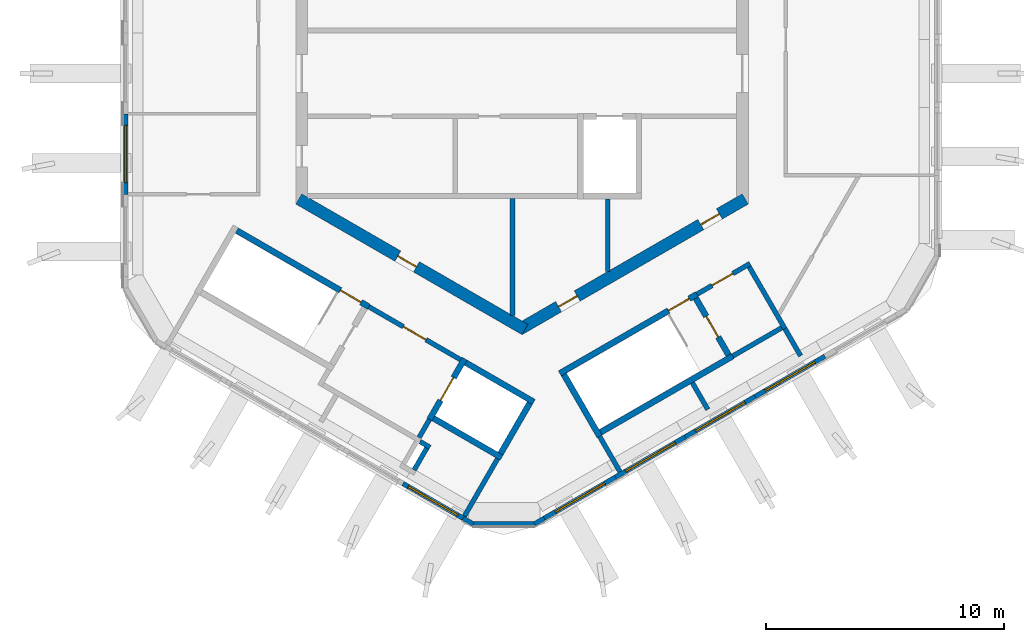
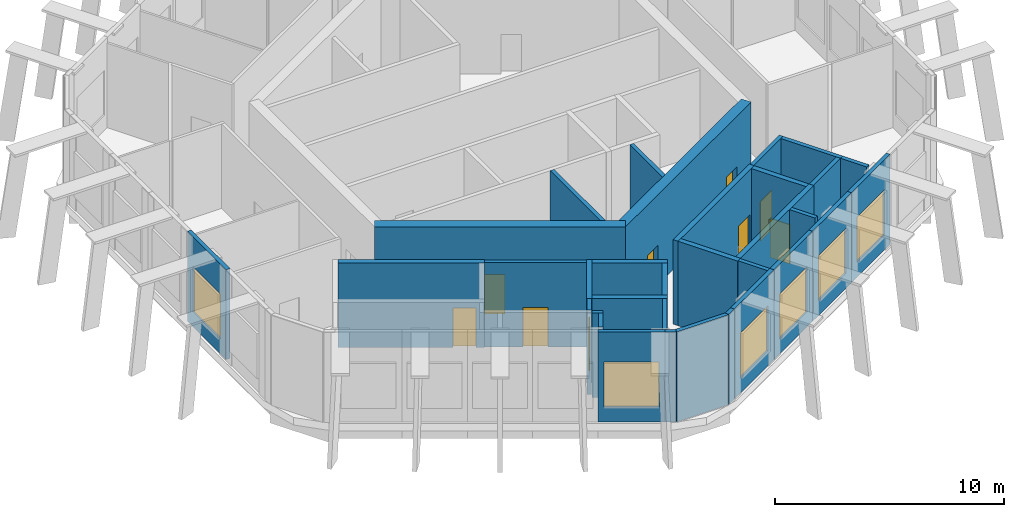
# One storey, part 2 of 8: 33 walls, 9 doors, 6 windows, 15 openings.
"""IFC4 building model written with IfcOpenShell, lengths in metres."""

import ifcopenshell
import ifcopenshell.guid

model = None  # the IFC model being written
_history = None  # IfcOwnerHistory: only IFC2X3 demands one
_inside = {}  # id of a spatial element -> (the spatial element, [elements in it])
_under = {}  # id of a project, library or spatial element -> (it, [spatial elements below it])
_declared = {}  # id of a project -> (the project, [libraries it declares])
_typed = {}  # id of a type object -> (the type object, [elements of that type])
_made_of = {}  # id of a material, layer set ... -> (it, [elements and type objects made of it])


def new_model(schema):
    """Start an empty IFC model of exactly this schema.

    Asked for "IFC4X3", IfcOpenShell would pick the latest addendum, in which some entities
    have other attributes; the version numbers below select the first issue.
    IFC2X3 requires an IfcOwnerHistory on every rooted entity: one is made here for all.
    """
    global model, _history
    if schema == "IFC4X3":
        model = ifcopenshell.file(schema_version=(4, 3, 0, 0))
    else:
        model = ifcopenshell.file(schema=schema)
    _inside.clear()
    _under.clear()
    _declared.clear()
    _typed.clear()
    _made_of.clear()
    _history = None
    if model.schema == "IFC2X3":
        org = make("IfcOrganization", Name="unknown")
        user = make(
            "IfcPersonAndOrganization",
            ThePerson=make("IfcPerson", FamilyName="unknown"),
            TheOrganization=org,
        )
        app = make(
            "IfcApplication",
            ApplicationDeveloper=org,
            Version="unknown",
            ApplicationFullName="unknown",
            ApplicationIdentifier="unknown",
        )
        _history = make(
            "IfcOwnerHistory",
            OwningUser=user,
            OwningApplication=app,
            ChangeAction="ADDED",
            CreationDate=0,
        )
    return model


def make(cls, **values):
    """One entity of the class cls with the attributes given. An attribute that is None is left unset."""
    return model.create_entity(
        cls, **{name: value for name, value in values.items() if value is not None}
    )


def rooted(cls, **values):
    """An entity with a GlobalId (a new one), such as an element, a storey or a relation."""
    return make(cls, GlobalId=ifcopenshell.guid.new(), OwnerHistory=_history, **values)


def si_unit(unit_type, name, prefix=None):
    """IfcSIUnit, for example si_unit("LENGTHUNIT", "METRE", prefix="MILLI")."""
    return make("IfcSIUnit", UnitType=unit_type, Prefix=prefix, Name=name)


def assignment(units):
    """IfcUnitAssignment: the units of a project."""
    return None if units is None else make("IfcUnitAssignment", Units=units)


def point(xyz):
    """IfcCartesianPoint."""
    return None if xyz is None else make("IfcCartesianPoint", Coordinates=xyz)


def direction(xyz):
    """IfcDirection."""
    return None if xyz is None else make("IfcDirection", DirectionRatios=xyz)


def frame(location, z_axis=None, x_axis=None):
    """IfcAxis2Placement3D, a coordinate frame: its origin and axes. An axis left out is left unset."""
    return make(
        "IfcAxis2Placement3D",
        Location=point(location),
        Axis=direction(z_axis),
        RefDirection=direction(x_axis),
    )


def frame_2d(location, x_axis=None):
    """IfcAxis2Placement2D, a coordinate frame in the plane: its origin and x axis."""
    return make(
        "IfcAxis2Placement2D", Location=point(location), RefDirection=direction(x_axis)
    )


def origin():
    """The frame at (0, 0, 0) with its axes left unset."""
    return frame((0.0, 0.0, 0.0))


def place(relative_to, where):
    """IfcLocalPlacement: puts the frame where relative to a parent placement (None: the world)."""
    return make(
        "IfcLocalPlacement", PlacementRelTo=relative_to, RelativePlacement=where
    )


def context(
    kind, dimensions, precision=None, world=None, true_north=None, identifier=None
):
    """IfcGeometricRepresentationContext, for example the 3D "Model" context."""
    return make(
        "IfcGeometricRepresentationContext",
        ContextIdentifier=identifier,
        ContextType=kind,
        CoordinateSpaceDimension=dimensions,
        Precision=precision,
        WorldCoordinateSystem=world,
        TrueNorth=true_north,
    )


def subcontext(parent, identifier, kind, view, scale=None):
    """IfcGeometricRepresentationSubContext, for example "Body" below "Model"."""
    return make(
        "IfcGeometricRepresentationSubContext",
        ContextIdentifier=identifier,
        ContextType=kind,
        ParentContext=parent,
        TargetScale=scale,
        TargetView=view,
    )


def project(units=None, contexts=None):
    """IfcProject with its units and contexts."""
    return rooted(
        "IfcProject",
        Name="project",
        RepresentationContexts=contexts,
        UnitsInContext=assignment(units),
    )


def spatial(cls, under=None, at=None, **own):
    """A site, building, storey or space (cls), placed at a placement, below another one or the project."""
    s = rooted(cls, ObjectPlacement=at, **own)
    if under is not None:
        _under.setdefault(under.id(), (under, []))[1].append(s)
    return s


def profile(cls, at=None, kind="AREA", **sizes):
    """A parametric profile (cls). Its sizes go by their IFC names, for example OverallWidth=200.0."""
    return make(cls, ProfileType=kind, Position=at, **sizes)


def rectangle(**sizes):
    """IfcRectangleProfileDef."""
    return profile("IfcRectangleProfileDef", **sizes)


def extrude(swept, where, along, depth):
    """IfcExtrudedAreaSolid: the profile swept, set in the frame where, extruded along a direction by depth."""
    return make(
        "IfcExtrudedAreaSolid",
        SweptArea=swept,
        Position=where,
        ExtrudedDirection=direction(along),
        Depth=depth,
    )


def shape(context_of_items, identifier, shape_type, items):
    """IfcShapeRepresentation: the items that make up one representation, for example the "Body"."""
    return make(
        "IfcShapeRepresentation",
        ContextOfItems=context_of_items,
        RepresentationIdentifier=identifier,
        RepresentationType=shape_type,
        Items=items,
    )


def material(Name=None, Category=None):
    """IfcMaterial."""
    return make("IfcMaterial", Name=Name, Category=Category)


def layer(
    of_material, thickness, ventilated=None, Name=None, Category=None, Priority=None
):
    """IfcMaterialLayer: one layer of a wall or slab, of a material (None: an air gap)."""
    return make(
        "IfcMaterialLayer",
        Material=of_material,
        LayerThickness=thickness,
        IsVentilated=ventilated,
        Name=Name,
        Category=Category,
        Priority=Priority,
    )


def layer_set(layers, Name=None):
    """IfcMaterialLayerSet."""
    return make("IfcMaterialLayerSet", MaterialLayers=layers, LayerSetName=Name)


def made_of(thing, what):
    """Note that an element or type object is made of a material, layer set ...; save() writes the relation."""
    if what is not None:
        _made_of.setdefault(what.id(), (what, []))[1].append(thing)
    return thing


def type_object(cls, material=None, **own):
    """A type object (cls), such as IfcWallType, which elements share."""
    return made_of(rooted(cls, **own), material)


def element(
    cls,
    number,
    at=None,
    inside=None,
    cuts=None,
    type_object=None,
    material=None,
    context=None,
    identifier="Body",
    shape_type=None,
    held_by="IfcProductDefinitionShape",
    body=None,
    shapes=None,
    **own,
):
    """One element of the class cls, such as IfcWall. Its Tag is "e" and its number.

    at: its placement. inside: the storey or other place that contains it. cuts: it is an
    opening in that element (IfcRelVoidsElement). A single representation is given by context,
    identifier, shape_type and body (its items); several are given by shapes. held_by: the class
    of the entity that holds the representations. save() writes the other relations.
    """
    e = rooted(cls, Tag="e%d" % number, ObjectPlacement=at, **own)
    if body is not None:
        shapes = [shape(context, identifier, shape_type, body)]
    if shapes is not None:
        e.Representation = make(held_by, Representations=shapes)
    if inside is not None:
        _inside.setdefault(inside.id(), (inside, []))[1].append(e)
    if cuts is not None:
        rooted(
            "IfcRelVoidsElement", RelatingBuildingElement=cuts, RelatedOpeningElement=e
        )
    if type_object is not None:
        _typed.setdefault(type_object.id(), (type_object, []))[1].append(e)
    return made_of(e, material)


def fill(opening, filler):
    """IfcRelFillsElement: the door or window that sits in an opening."""
    return rooted(
        "IfcRelFillsElement",
        RelatingOpeningElement=opening,
        RelatedBuildingElement=filler,
    )


def aggregate(whole, parts):
    """IfcRelAggregates: a whole, such as a stair, and the parts it consists of."""
    return rooted("IfcRelAggregates", RelatingObject=whole, RelatedObjects=parts)


def save(model, path):
    """Write the relations noted so far, then the file.

    IfcRelAggregates (storeys below a building ...), IfcRelContainedInSpatialStructure (elements
    in a storey), IfcRelDefinesByType, IfcRelAssociatesMaterial and IfcRelDeclares: one each for
    every whole, place, type object, material and project.
    """
    for whole, parts in _under.values():
        aggregate(whole, parts)
    for where, things in _inside.values():
        rooted(
            "IfcRelContainedInSpatialStructure",
            RelatedElements=things,
            RelatingStructure=where,
        )
    for kind, things in _typed.values():
        rooted("IfcRelDefinesByType", RelatedObjects=things, RelatingType=kind)
    for what, things in _made_of.values():
        rooted("IfcRelAssociatesMaterial", RelatedObjects=things, RelatingMaterial=what)
    for by, libraries in _declared.values():
        rooted("IfcRelDeclares", RelatingContext=by, RelatedDefinitions=libraries)
    model.write(path)


model = new_model("IFC4")

# Units and contexts
model_context = context("Model", 3, precision=1e-05, world=origin(), true_north=direction((0.0, 1.0)))
body_context = subcontext(model_context, "Body", "Model", "MODEL_VIEW")
ifc_project = project(units=[si_unit("LENGTHUNIT", "METRE"), si_unit("AREAUNIT", "SQUARE_METRE"), si_unit("VOLUMEUNIT", "CUBIC_METRE"), si_unit("PLANEANGLEUNIT", "RADIAN"), si_unit("MASSUNIT", "GRAM", prefix="KILO")], contexts=[model_context])

# Site, building, storey
site_placement = place(None, origin())
site = spatial("IfcSite", under=ifc_project, at=site_placement, CompositionType="ELEMENT")
building_placement = place(site_placement, origin())
building = spatial("IfcBuilding", under=site, at=building_placement, Name="Ayvan Gate Tower", CompositionType="ELEMENT")
storey_placement = place(building_placement, frame((0.0, 0.0, 262.89990234375)))
storey = spatial("IfcBuildingStorey", under=building, at=storey_placement, Name="L70", CompositionType="ELEMENT", Elevation=262.89990234375)

# Wall, opening, door
ifc_material_1 = material(Name="Concrete C60/75", Category="concrete")
ifc_layer_1 = layer(ifc_material_1, 0.5)
ifc_layer_set_1 = layer_set([ifc_layer_1], Name="Concrete C60/75")
wall_type_1 = type_object("IfcWallType", Name="Core wall 500 C60/75", PredefinedType="SHEAR", material=ifc_layer_set_1)
wall_1_placement = place(storey_placement, frame((-9.375, -5.268310546875, 0.0), z_axis=(0.0, 0.0, 1.0), x_axis=(0.866023993627, -0.500002442456, 0.0)))
wall_1 = element("IfcWall", 1, at=wall_1_placement, inside=storey, type_object=wall_type_1, Name="CORE-L70-4", PredefinedType="SHEAR", context=body_context, shape_type="SweptSolid", body=[
    extrude(rectangle(XDim=10.9697265625, YDim=0.5, at=frame_2d((5.48486328125, 0.0))), origin(), (0.0, 0.0, 1.0), 4.800048828125),
])
opening_1_placement = place(wall_1_placement, frame((4.804443359375, 0.0, 0.0)))
opening_1 = element("IfcOpeningElement", 2, at=opening_1_placement, cuts=wall_1, Name="Opening L70-D27", PredefinedType="OPENING", context=body_context, shape_type="SweptSolid", body=[
    extrude(rectangle(XDim=0.89990234375, YDim=2.10009765625, at=frame_2d((0.449951171875, 1.050048828125))), frame((0.0, 0.260009765625, 0.0), z_axis=(0.0, -1.0, 0.0), x_axis=(1.0, 0.0, 0.0)), (0.0, 0.0, 1.0), 0.52001953125),
])
ifc_material_2 = material(Name="Timber door leaf", Category="wood")
door_type_1 = type_object("IfcDoorType", Name="DT-900", OperationType="NOTDEFINED", PredefinedType="DOOR", material=ifc_material_2)
door_1_placement = place(opening_1_placement, origin())
door_1 = element("IfcDoor", 3, at=door_1_placement, inside=storey, type_object=door_type_1, Name="CD-L70-27", OperationType="SINGLE_SWING_LEFT", OverallHeight=2.10009765625, OverallWidth=0.89990234375, PredefinedType="DOOR", context=body_context, shape_type="SweptSolid", body=[
    extrude(rectangle(XDim=0.89990234375, YDim=2.10009765625, at=frame_2d((0.449951171875, 1.050048828125))), frame((0.0, 0.02490234375, 0.0), z_axis=(0.0, -1.0, 0.0), x_axis=(1.0, 0.0, 0.0)), (0.0, 0.0, 1.0), 0.050048828125),
])
fill(opening_1, door_1)

# Wall, openings, doors
wall_2_placement = place(storey_placement, frame((-0.125, -10.753173828125, 0.0), z_axis=(0.0, 0.0, 1.0), x_axis=(0.866023993627, 0.500002442456, 0.0)))
wall_2 = element("IfcWall", 4, at=wall_2_placement, inside=storey, type_object=wall_type_1, Name="CORE-L70-5", PredefinedType="SHEAR", context=body_context, shape_type="SweptSolid", body=[
    extrude(rectangle(XDim=10.9697265625, YDim=0.5, at=frame_2d((5.48486328125, 0.0))), origin(), (0.0, 0.0, 1.0), 4.800048828125),
])
opening_2_placement = place(wall_2_placement, frame((1.917724609375, 0.0, 0.0)))
opening_2 = element("IfcOpeningElement", 5, at=opening_2_placement, cuts=wall_2, Name="Opening L70-D28", PredefinedType="OPENING", context=body_context, shape_type="SweptSolid", body=[
    extrude(rectangle(XDim=0.89990234375, YDim=2.10009765625, at=frame_2d((0.449951171875, 1.050048828125))), frame((0.0, 0.260009765625, 0.0), z_axis=(0.0, -1.0, 0.0), x_axis=(1.0, 0.0, 0.0)), (0.0, 0.0, 1.0), 0.52001953125),
])
opening_3_placement = place(wall_2_placement, frame((8.81201171875, 0.0, 0.0)))
opening_3 = element("IfcOpeningElement", 6, at=opening_3_placement, cuts=wall_2, Name="Opening L70-D29", PredefinedType="OPENING", context=body_context, shape_type="SweptSolid", body=[
    extrude(rectangle(XDim=0.89990234375, YDim=2.10009765625, at=frame_2d((0.449951171875, 1.050048828125))), frame((0.0, 0.260009765625, 0.0), z_axis=(0.0, -1.0, 0.0), x_axis=(1.0, 0.0, 0.0)), (0.0, 0.0, 1.0), 0.52001953125),
])
door_2_placement = place(opening_2_placement, origin())
door_2 = element("IfcDoor", 7, at=door_2_placement, inside=storey, type_object=door_type_1, Name="CD-L70-28", OperationType="SINGLE_SWING_RIGHT", OverallHeight=2.10009765625, OverallWidth=0.89990234375, PredefinedType="DOOR", context=body_context, shape_type="SweptSolid", body=[
    extrude(rectangle(XDim=0.89990234375, YDim=2.10009765625, at=frame_2d((0.449951171875, 1.050048828125))), frame((0.0, 0.02490234375, 0.0), z_axis=(0.0, -1.0, 0.0), x_axis=(1.0, 0.0, 0.0)), (0.0, 0.0, 1.0), 0.050048828125),
])
fill(opening_2, door_2)
door_3_placement = place(opening_3_placement, origin())
door_3 = element("IfcDoor", 8, at=door_3_placement, inside=storey, type_object=door_type_1, Name="CD-L70-29", OperationType="SINGLE_SWING_LEFT", OverallHeight=2.10009765625, OverallWidth=0.89990234375, PredefinedType="DOOR", context=body_context, shape_type="SweptSolid", body=[
    extrude(rectangle(XDim=0.89990234375, YDim=2.10009765625, at=frame_2d((0.449951171875, 1.050048828125))), frame((0.0, 0.02490234375, 0.0), z_axis=(0.0, -1.0, 0.0), x_axis=(1.0, 0.0, 0.0)), (0.0, 0.0, 1.0), 0.050048828125),
])
fill(opening_3, door_3)

# Wall, opening, window
ifc_material_3 = material(Name="Pale metal cladding on insulated wall")
ifc_layer_2 = layer(ifc_material_3, 0.199951171875)
ifc_layer_set_2 = layer_set([ifc_layer_2], Name="Pale metal cladding on insulated wall")
wall_type_2 = type_object("IfcWallType", Name="Louvred plant wall 200", PredefinedType="SOLIDWALL", material=ifc_layer_set_2)
wall_3_placement = place(storey_placement, frame((-16.64453125, -1.692626953125, 0.0), z_axis=(0.0, 0.0, 1.0), x_axis=(0.0, -1.0, 0.0)))
wall_3 = element("IfcWall", 9, at=wall_3_placement, inside=storey, type_object=wall_type_2, Name="EW:L70:F02:3", PredefinedType="SOLIDWALL", context=body_context, shape_type="SweptSolid", body=[
    extrude(rectangle(XDim=3.3837890625, YDim=0.199951171875, at=frame_2d((1.69189453125, 0.0))), origin(), (0.0, 0.0, 1.0), 4.800048828125),
])
opening_4_placement = place(wall_3_placement, frame((0.491943359375, 0.0, 0.800048828125)))
opening_4 = element("IfcOpeningElement", 10, at=opening_4_placement, cuts=wall_3, Name="Opening W-L", PredefinedType="OPENING", context=body_context, shape_type="SweptSolid", body=[
    extrude(rectangle(XDim=2.39990234375, YDim=2.39990234375, at=frame_2d((1.199951171875, 1.199951171875))), frame((0.0, 0.10986328125, 0.0), z_axis=(0.0, -1.0, 0.0), x_axis=(1.0, 0.0, 0.0)), (0.0, 0.0, 1.0), 0.219970703125),
])
ifc_material_4 = material(Name="Anodised aluminium louvre", Category="aluminium")
window_type = type_object("IfcWindowType", Name="Louvre intake W-L", PartitioningType="DOUBLE_PANEL_VERTICAL", PredefinedType="WINDOW", material=ifc_material_4)
window_1_placement = place(opening_4_placement, origin())
window_1 = element("IfcWindow", 11, at=window_1_placement, inside=storey, type_object=window_type, Name="Louvre intake L70.2.3", OverallHeight=2.39990234375, OverallWidth=2.39990234375, PartitioningType="SINGLE_PANEL", PredefinedType="WINDOW", context=body_context, shape_type="SweptSolid", body=[
    extrude(rectangle(XDim=2.39990234375, YDim=2.39990234375, at=frame_2d((1.199951171875, 1.199951171875))), frame((0.0, 0.030029296875, 0.0), z_axis=(0.0, -1.0, 0.0), x_axis=(1.0, 0.0, 0.0)), (0.0, 0.0, 1.0), 0.06005859375),
])
fill(opening_4, window_1)

wall_4_placement = place(storey_placement, frame((-5.000732421875, -17.218994140625, 0.0), z_axis=(0.0, 0.0, 1.0), x_axis=(0.866028329077, -0.499994933211, 0.0)))
wall_4 = element("IfcWall", 12, at=wall_4_placement, inside=storey, type_object=wall_type_2, Name="EW:L70:F04:4", PredefinedType="SOLIDWALL", context=body_context, shape_type="SweptSolid", body=[
    extrude(rectangle(XDim=2.92138671875, YDim=0.199951171875, at=frame_2d((1.460693359375, 0.0))), origin(), (0.0, 0.0, 1.0), 4.800048828125),
])
opening_5_placement = place(wall_4_placement, frame((0.2607421875, 0.0, 0.800048828125)))
opening_5 = element("IfcOpeningElement", 13, at=opening_5_placement, cuts=wall_4, Name="Opening W-L", PredefinedType="OPENING", context=body_context, shape_type="SweptSolid", body=[
    extrude(rectangle(XDim=2.39990234375, YDim=2.39990234375, at=frame_2d((1.199951171875, 1.199951171875))), frame((0.0, 0.10986328125, 0.0), z_axis=(0.0, -1.0, 0.0), x_axis=(1.0, 0.0, 0.0)), (0.0, 0.0, 1.0), 0.219970703125),
])
window_2_placement = place(opening_5_placement, origin())
window_2 = element("IfcWindow", 14, at=window_2_placement, inside=storey, type_object=window_type, Name="Louvre intake L70.4.4", OverallHeight=2.39990234375, OverallWidth=2.39990234375, PartitioningType="SINGLE_PANEL", PredefinedType="WINDOW", context=body_context, shape_type="SweptSolid", body=[
    extrude(rectangle(XDim=2.39990234375, YDim=2.39990234375, at=frame_2d((1.199951171875, 1.199951171875))), frame((0.0, 0.030029296875, 0.0), z_axis=(0.0, -1.0, 0.0), x_axis=(1.0, 0.0, 0.0)), (0.0, 0.0, 1.0), 0.06005859375),
])
fill(opening_5, window_2)

# Walls
wall_5_placement = place(storey_placement, frame((-2.470703125, -18.6796875, 0.0), z_axis=(0.0, 0.0, 1.0), x_axis=(0.865988727248, -0.500063520245, 0.0)))
element("IfcWall", 15, at=wall_5_placement, inside=storey, type_object=wall_type_2, Name="EW:L70:C05:0", PredefinedType="SOLIDWALL", context=body_context, shape_type="SweptSolid", body=[
    extrude(rectangle(XDim=0.47509765625, YDim=0.199951171875, at=frame_2d((0.237548828125, 0.0))), origin(), (0.0, 0.0, 1.0), 4.800048828125),
])
wall_6_placement = place(storey_placement, frame((-2.059326171875, -18.917236328125, 0.0), z_axis=(0.0, 0.0, 1.0), x_axis=(1.0, 0.0, 0.0)))
element("IfcWall", 16, at=wall_6_placement, inside=storey, type_object=wall_type_2, Name="EW:L70:C05:1", PredefinedType="SOLIDWALL", context=body_context, shape_type="SweptSolid", body=[
    extrude(rectangle(XDim=2.58251953125, YDim=0.199951171875, at=frame_2d((1.291259765625, 0.0))), origin(), (0.0, 0.0, 1.0), 4.800048828125),
])
wall_7_placement = place(storey_placement, frame((0.523193359375, -18.917236328125, 0.0), z_axis=(0.0, 0.0, 1.0), x_axis=(0.865988727248, 0.500063520245, 0.0)))
element("IfcWall", 17, at=wall_7_placement, inside=storey, type_object=wall_type_2, Name="EW:L70:C05:2", PredefinedType="SOLIDWALL", context=body_context, shape_type="SweptSolid", body=[
    extrude(rectangle(XDim=0.47509765625, YDim=0.199951171875, at=frame_2d((0.237548828125, 0.0))), origin(), (0.0, 0.0, 1.0), 4.800048828125),
])

# Wall, opening, window
wall_8_placement = place(storey_placement, frame((0.9345703125, -18.6796875, 0.0), z_axis=(0.0, 0.0, 1.0), x_axis=(0.866046690806, 0.499963127985, 0.0)))
wall_8 = element("IfcWall", 18, at=wall_8_placement, inside=storey, type_object=wall_type_2, Name="EW:L70:F06:0", PredefinedType="SOLIDWALL", context=body_context, shape_type="SweptSolid", body=[
    extrude(rectangle(XDim=3.453857421875, YDim=0.199951171875, at=frame_2d((1.72705078125, 0.0))), origin(), (0.0, 0.0, 1.0), 4.800048828125),
])
opening_6_placement = place(wall_8_placement, frame((0.527099609375, 0.0, 0.800048828125)))
opening_6 = element("IfcOpeningElement", 19, at=opening_6_placement, cuts=wall_8, Name="Opening W-L", PredefinedType="OPENING", context=body_context, shape_type="SweptSolid", body=[
    extrude(rectangle(XDim=2.39990234375, YDim=2.39990234375, at=frame_2d((1.199951171875, 1.199951171875))), frame((0.0, 0.10986328125, 0.0), z_axis=(0.0, -1.0, 0.0), x_axis=(1.0, 0.0, 0.0)), (0.0, 0.0, 1.0), 0.219970703125),
])
window_3_placement = place(opening_6_placement, origin())
window_3 = element("IfcWindow", 20, at=window_3_placement, inside=storey, type_object=window_type, Name="Louvre intake L70.6.0", OverallHeight=2.39990234375, OverallWidth=2.39990234375, PartitioningType="SINGLE_PANEL", PredefinedType="WINDOW", context=body_context, shape_type="SweptSolid", body=[
    extrude(rectangle(XDim=2.39990234375, YDim=2.39990234375, at=frame_2d((1.199951171875, 1.199951171875))), frame((0.0, 0.030029296875, 0.0), z_axis=(0.0, -1.0, 0.0), x_axis=(1.0, 0.0, 0.0)), (0.0, 0.0, 1.0), 0.06005859375),
])
fill(opening_6, window_3)

wall_9_placement = place(storey_placement, frame((3.92578125, -16.952880859375, 0.0), z_axis=(0.0, 0.0, 1.0), x_axis=(0.866010178455, 0.500026370116, 0.0)))
wall_9 = element("IfcWall", 21, at=wall_9_placement, inside=storey, type_object=wall_type_2, Name="EW:L70:F06:1", PredefinedType="SOLIDWALL", context=body_context, shape_type="SweptSolid", body=[
    extrude(rectangle(XDim=3.384033203125, YDim=0.199951171875, at=frame_2d((1.69189453125, 0.0))), origin(), (0.0, 0.0, 1.0), 4.800048828125),
])
opening_7_placement = place(wall_9_placement, frame((0.491943359375, 0.0, 0.800048828125)))
opening_7 = element("IfcOpeningElement", 22, at=opening_7_placement, cuts=wall_9, Name="Opening W-L", PredefinedType="OPENING", context=body_context, shape_type="SweptSolid", body=[
    extrude(rectangle(XDim=2.39990234375, YDim=2.39990234375, at=frame_2d((1.199951171875, 1.199951171875))), frame((0.0, 0.10986328125, 0.0), z_axis=(0.0, -1.0, 0.0), x_axis=(1.0, 0.0, 0.0)), (0.0, 0.0, 1.0), 0.219970703125),
])
window_4_placement = place(opening_7_placement, origin())
window_4 = element("IfcWindow", 23, at=window_4_placement, inside=storey, type_object=window_type, Name="Louvre intake L70.6.1", OverallHeight=2.39990234375, OverallWidth=2.39990234375, PartitioningType="SINGLE_PANEL", PredefinedType="WINDOW", context=body_context, shape_type="SweptSolid", body=[
    extrude(rectangle(XDim=2.39990234375, YDim=2.39990234375, at=frame_2d((1.199951171875, 1.199951171875))), frame((0.0, 0.030029296875, 0.0), z_axis=(0.0, -1.0, 0.0), x_axis=(1.0, 0.0, 0.0)), (0.0, 0.0, 1.0), 0.06005859375),
])
fill(opening_7, window_4)

wall_10_placement = place(storey_placement, frame((6.8564453125, -15.2607421875, 0.0), z_axis=(0.0, 0.0, 1.0), x_axis=(0.866051074803, 0.499955533855, 0.0)))
wall_10 = element("IfcWall", 24, at=wall_10_placement, inside=storey, type_object=wall_type_2, Name="EW:L70:F06:2", PredefinedType="SOLIDWALL", context=body_context, shape_type="SweptSolid", body=[
    extrude(rectangle(XDim=3.385009765625, YDim=0.199951171875, at=frame_2d((1.6923828125, 0.0))), origin(), (0.0, 0.0, 1.0), 4.800048828125),
])
opening_8_placement = place(wall_10_placement, frame((0.492431640625, 0.0, 0.800048828125)))
opening_8 = element("IfcOpeningElement", 25, at=opening_8_placement, cuts=wall_10, Name="Opening W-L", PredefinedType="OPENING", context=body_context, shape_type="SweptSolid", body=[
    extrude(rectangle(XDim=2.39990234375, YDim=2.39990234375, at=frame_2d((1.199951171875, 1.199951171875))), frame((0.0, 0.10986328125, 0.0), z_axis=(0.0, -1.0, 0.0), x_axis=(1.0, 0.0, 0.0)), (0.0, 0.0, 1.0), 0.219970703125),
])
window_5_placement = place(opening_8_placement, origin())
window_5 = element("IfcWindow", 26, at=window_5_placement, inside=storey, type_object=window_type, Name="Louvre intake L70.6.2", OverallHeight=2.39990234375, OverallWidth=2.39990234375, PartitioningType="SINGLE_PANEL", PredefinedType="WINDOW", context=body_context, shape_type="SweptSolid", body=[
    extrude(rectangle(XDim=2.39990234375, YDim=2.39990234375, at=frame_2d((1.199951171875, 1.199951171875))), frame((0.0, 0.030029296875, 0.0), z_axis=(0.0, -1.0, 0.0), x_axis=(1.0, 0.0, 0.0)), (0.0, 0.0, 1.0), 0.06005859375),
])
fill(opening_8, window_5)

wall_11_placement = place(storey_placement, frame((9.7880859375, -13.568359375, 0.0), z_axis=(0.0, 0.0, 1.0), x_axis=(0.865992138996, 0.500057611879, 0.0)))
wall_11 = element("IfcWall", 27, at=wall_11_placement, inside=storey, type_object=wall_type_2, Name="EW:L70:F06:3", PredefinedType="SOLIDWALL", context=body_context, shape_type="SweptSolid", body=[
    extrude(rectangle(XDim=3.3837890625, YDim=0.199951171875, at=frame_2d((1.69189453125, 0.0))), origin(), (0.0, 0.0, 1.0), 4.800048828125),
])
opening_9_placement = place(wall_11_placement, frame((0.491943359375, 0.0, 0.800048828125)))
opening_9 = element("IfcOpeningElement", 28, at=opening_9_placement, cuts=wall_11, Name="Opening W-L", PredefinedType="OPENING", context=body_context, shape_type="SweptSolid", body=[
    extrude(rectangle(XDim=2.39990234375, YDim=2.39990234375, at=frame_2d((1.199951171875, 1.199951171875))), frame((0.0, 0.10986328125, 0.0), z_axis=(0.0, -1.0, 0.0), x_axis=(1.0, 0.0, 0.0)), (0.0, 0.0, 1.0), 0.219970703125),
])
window_6_placement = place(opening_9_placement, origin())
window_6 = element("IfcWindow", 29, at=window_6_placement, inside=storey, type_object=window_type, Name="Louvre intake L70.6.3", OverallHeight=2.39990234375, OverallWidth=2.39990234375, PartitioningType="SINGLE_PANEL", PredefinedType="WINDOW", context=body_context, shape_type="SweptSolid", body=[
    extrude(rectangle(XDim=2.39990234375, YDim=2.39990234375, at=frame_2d((1.199951171875, 1.199951171875))), frame((0.0, 0.030029296875, 0.0), z_axis=(0.0, -1.0, 0.0), x_axis=(1.0, 0.0, 0.0)), (0.0, 0.0, 1.0), 0.06005859375),
])
fill(opening_9, window_6)

# Walls
ifc_material_5 = material(Name="Plasterboard on steel stud", Category="steel")
ifc_layer_3 = layer(ifc_material_5, 0.199951171875)
ifc_layer_set_3 = layer_set([ifc_layer_3], Name="Plasterboard on steel stud")
wall_type_3 = type_object("IfcWallType", Name="WT-PLUMB-200", PredefinedType="PLUMBINGWALL", material=ifc_layer_set_3)
wall_12_placement = place(storey_placement, frame((-3.885009765625, -14.52880859375, 0.0), z_axis=(0.0, 0.0, 1.0), x_axis=(-0.499859285417, -0.866106630146, 0.0)))
element("IfcWall", 30, at=wall_12_placement, inside=storey, type_object=wall_type_3, Name="IW-L70-022", PredefinedType="PLUMBINGWALL", context=body_context, shape_type="SweptSolid", body=[
    extrude(rectangle(XDim=0.875244140625, YDim=0.199951171875, at=frame_2d((0.4375, 0.0))), origin(), (0.0, 0.0, 1.0), 4.5),
])
wall_13_placement = place(storey_placement, frame((-1.027099609375, -16.178955078125, 0.0), z_axis=(0.0, 0.0, 1.0), x_axis=(-0.500016013541, -0.866016158165, 0.0)))
element("IfcWall", 31, at=wall_13_placement, inside=storey, type_object=wall_type_3, Name="IW-L70-031", PredefinedType="PLUMBINGWALL", context=body_context, shape_type="SweptSolid", body=[
    extrude(rectangle(XDim=2.78369140625, YDim=0.199951171875, at=frame_2d((1.391845703125, 0.0))), origin(), (0.0, 0.0, 1.0), 4.5),
])
wall_14_placement = place(storey_placement, frame((4.11328125, -16.724609375, 0.0), z_axis=(0.0, 0.0, 1.0), x_axis=(-0.499919551962, 0.866071845499, 0.0)))
element("IfcWall", 32, at=wall_14_placement, inside=storey, type_object=wall_type_3, Name="IW-L70-047", PredefinedType="PLUMBINGWALL", context=body_context, shape_type="SweptSolid", body=[
    extrude(rectangle(XDim=1.715576171875, YDim=0.199951171875, at=frame_2d((0.85791015625, 0.0))), origin(), (0.0, 0.0, 1.0), 4.5),
])
wall_15_placement = place(storey_placement, frame((7.152587890625, -12.98876953125, 0.0), z_axis=(0.0, 0.0, 1.0), x_axis=(0.499972779981, -0.866041118699, 0.0)))
element("IfcWall", 33, at=wall_15_placement, inside=storey, type_object=wall_type_3, Name="IW-L70-053", PredefinedType="PLUMBINGWALL", context=body_context, shape_type="SweptSolid", body=[
    extrude(rectangle(XDim=1.29443359375, YDim=0.199951171875, at=frame_2d((0.647216796875, 0.0))), origin(), (0.0, 0.0, 1.0), 4.5),
])
wall_16_placement = place(storey_placement, frame((10.900634765625, -10.6806640625, 0.0), z_axis=(0.0, 0.0, 1.0), x_axis=(-0.866007538022, -0.500030943131, 0.0)))
element("IfcWall", 34, at=wall_16_placement, inside=storey, type_object=wall_type_3, Name="IW-L70-062", PredefinedType="PLUMBINGWALL", context=body_context, shape_type="SweptSolid", body=[
    extrude(rectangle(XDim=2.374755859375, YDim=0.199951171875, at=frame_2d((1.1875, 0.0))), origin(), (0.0, 0.0, 1.0), 4.5),
])
wall_17_placement = place(storey_placement, frame((11.037353515625, -10.71728515625, 0.0), z_axis=(0.0, 0.0, 1.0), x_axis=(0.500000102728, -0.866025344474, 0.0)))
element("IfcWall", 35, at=wall_17_placement, inside=storey, type_object=wall_type_3, Name="IW-L70-063", PredefinedType="PLUMBINGWALL", context=body_context, shape_type="SweptSolid", body=[
    extrude(rectangle(XDim=1.3193359375, YDim=0.199951171875, at=frame_2d((0.65966796875, 0.0))), origin(), (0.0, 0.0, 1.0), 4.5),
])
wall_18_placement = place(storey_placement, frame((-4.287109375, -15.45751953125, 0.0), z_axis=(0.0, 0.0, 1.0), x_axis=(0.866093196455, -0.499882561262, 0.0)))
element("IfcWall", 36, at=wall_18_placement, inside=storey, type_object=wall_type_3, Name="IW-L70-076", PredefinedType="PLUMBINGWALL", context=body_context, shape_type="SweptSolid", body=[
    extrude(rectangle(XDim=0.48388671875, YDim=0.199951171875, at=frame_2d((0.241943359375, 0.0))), origin(), (0.0, 0.0, 1.0), 4.5),
])
wall_19_placement = place(storey_placement, frame((-4.00439453125, -15.736083984375, 0.0), z_axis=(0.0, 0.0, 1.0), x_axis=(-0.500062184469, -0.865989498588, 0.0)))
element("IfcWall", 37, at=wall_19_placement, inside=storey, type_object=wall_type_3, Name="IW-L70-077", PredefinedType="PLUMBINGWALL", context=body_context, shape_type="SweptSolid", body=[
    extrude(rectangle(XDim=1.057373046875, YDim=0.199951171875, at=frame_2d((0.52880859375, 0.0))), origin(), (0.0, 0.0, 1.0), 4.5),
])

# Wall, opening, door
ifc_layer_4 = layer(ifc_material_5, 0.199951171875)
ifc_layer_set_4 = layer_set([ifc_layer_4], Name="Plasterboard on steel stud")
wall_type_4 = type_object("IfcWallType", Name="WT-RATED-200", PredefinedType="PARTITIONING", material=ifc_layer_set_4)
wall_20_placement = place(storey_placement, frame((-6.4345703125, -9.794921875, 0.0), z_axis=(0.0, 0.0, 1.0), x_axis=(0.866012907634, -0.500021643343, 0.0)))
wall_20 = element("IfcWall", 38, at=wall_20_placement, inside=storey, type_object=wall_type_4, Name="IW-L70-020", PredefinedType="PARTITIONING", context=body_context, shape_type="SweptSolid", body=[
    extrude(rectangle(XDim=4.449951171875, YDim=0.199951171875, at=frame_2d((2.22509765625, 0.0))), origin(), (0.0, 0.0, 1.0), 4.5),
])
opening_10_placement = place(wall_20_placement, frame((1.675048828125, 0.0, 0.0)))
opening_10 = element("IfcOpeningElement", 39, at=opening_10_placement, cuts=wall_20, Name="Opening L70-D10", PredefinedType="OPENING", context=body_context, shape_type="SweptSolid", body=[
    extrude(rectangle(XDim=1.10009765625, YDim=2.10009765625, at=frame_2d((0.550048828125, 1.050048828125))), frame((0.0, 0.10986328125, 0.0), z_axis=(0.0, -1.0, 0.0), x_axis=(1.0, 0.0, 0.0)), (0.0, 0.0, 1.0), 0.219970703125),
])
door_type_2 = type_object("IfcDoorType", Name="DT-1100", OperationType="NOTDEFINED", PredefinedType="DOOR", material=ifc_material_2)
door_4_placement = place(opening_10_placement, origin())
door_4 = element("IfcDoor", 40, at=door_4_placement, inside=storey, type_object=door_type_2, Name="ID-L70-010", OperationType="SINGLE_SWING_RIGHT", OverallHeight=2.10009765625, OverallWidth=1.10009765625, PredefinedType="DOOR", context=body_context, shape_type="SweptSolid", body=[
    extrude(rectangle(XDim=1.10009765625, YDim=2.10009765625, at=frame_2d((0.550048828125, 1.050048828125))), frame((0.0, 0.02490234375, 0.0), z_axis=(0.0, -1.0, 0.0), x_axis=(1.0, 0.0, 0.0)), (0.0, 0.0, 1.0), 0.050048828125),
])
fill(opening_10, door_4)

# Walls
wall_21_placement = place(storey_placement, frame((-0.39990234375, -5.25, 0.0), z_axis=(0.0, 0.0, 1.0), x_axis=(0.0, -1.0, 0.0)))
element("IfcWall", 41, at=wall_21_placement, inside=storey, type_object=wall_type_4, Name="IW-L70-033", PredefinedType="PARTITIONING", context=body_context, shape_type="SweptSolid", body=[
    extrude(rectangle(XDim=4.911376953125, YDim=0.199951171875, at=frame_2d((2.45556640625, 0.0))), origin(), (0.0, 0.0, 1.0), 4.5),
])
wall_22_placement = place(storey_placement, frame((3.60009765625, -5.27490234375, 0.0), z_axis=(0.0, 0.0, 1.0), x_axis=(0.0, -1.0, 0.0)))
element("IfcWall", 42, at=wall_22_placement, inside=storey, type_object=wall_type_4, Name="IW-L70-044", PredefinedType="PARTITIONING", context=body_context, shape_type="SweptSolid", body=[
    extrude(rectangle(XDim=3.038818359375, YDim=0.199951171875, at=frame_2d((1.51953125, 0.0))), origin(), (0.0, 0.0, 1.0), 4.5),
])

# Wall, opening, door
wall_23_placement = place(storey_placement, frame((7.343994140625, -9.27001953125, 0.0), z_axis=(0.0, 0.0, 1.0), x_axis=(0.866005588531, 0.500034319456, 0.0)))
wall_23 = element("IfcWall", 43, at=wall_23_placement, inside=storey, type_object=wall_type_4, Name="IW-L70-056", PredefinedType="PARTITIONING", context=body_context, shape_type="SweptSolid", body=[
    extrude(rectangle(XDim=2.574951171875, YDim=0.199951171875, at=frame_2d((1.28759765625, 0.0))), origin(), (0.0, 0.0, 1.0), 4.5),
])
opening_11_placement = place(wall_23_placement, frame((0.737548828125, 0.0, 0.0)))
opening_11 = element("IfcOpeningElement", 44, at=opening_11_placement, cuts=wall_23, Name="Opening L70-D13", PredefinedType="OPENING", context=body_context, shape_type="SweptSolid", body=[
    extrude(rectangle(XDim=1.0, YDim=2.10009765625, at=frame_2d((0.5, 1.050048828125))), frame((0.0, 0.10986328125, 0.0), z_axis=(0.0, -1.0, 0.0), x_axis=(1.0, 0.0, 0.0)), (0.0, 0.0, 1.0), 0.219970703125),
])
door_type_3 = type_object("IfcDoorType", Name="DT-1000", OperationType="NOTDEFINED", PredefinedType="DOOR", material=ifc_material_2)
door_5_placement = place(opening_11_placement, origin())
door_5 = element("IfcDoor", 45, at=door_5_placement, inside=storey, type_object=door_type_3, Name="ID-L70-013", OperationType="SINGLE_SWING_LEFT", OverallHeight=2.10009765625, OverallWidth=1.0, PredefinedType="DOOR", context=body_context, shape_type="SweptSolid", body=[
    extrude(rectangle(XDim=1.0, YDim=2.10009765625, at=frame_2d((0.5, 1.050048828125))), frame((0.0, 0.02490234375, 0.0), z_axis=(0.0, -1.0, 0.0), x_axis=(1.0, 0.0, 0.0)), (0.0, 0.0, 1.0), 0.050048828125),
])
fill(opening_11, door_5)

# Wall
wall_24_placement = place(storey_placement, frame((9.537353515625, -8.119140625, 0.0), z_axis=(0.0, 0.0, 1.0), x_axis=(0.499990139034, -0.866031096941, 0.0)))
element("IfcWall", 46, at=wall_24_placement, inside=storey, type_object=wall_type_4, Name="IW-L70-061", PredefinedType="PARTITIONING", context=body_context, shape_type="SweptSolid", body=[
    extrude(rectangle(XDim=3.0, YDim=0.199951171875, at=frame_2d((1.5, 0.0))), origin(), (0.0, 0.0, 1.0), 4.5),
])

# Wall, opening, door
ifc_material_6 = material(Name="Concrete C50/60", Category="concrete")
ifc_layer_5 = layer(ifc_material_6, 0.25)
ifc_layer_set_5 = layer_set([ifc_layer_5], Name="Concrete C50/60")
wall_type_5 = type_object("IfcWallType", Name="WT-RC-250", PredefinedType="SHEAR", material=ifc_layer_set_5)
wall_25_placement = place(storey_placement, frame((-11.97705078125, -6.594970703125, 0.0), z_axis=(0.0, 0.0, 1.0), x_axis=(0.866025499775, -0.499999833739, 0.0)))
wall_25 = element("IfcWall", 47, at=wall_25_placement, inside=storey, type_object=wall_type_5, Name="IW-L70-006", PredefinedType="SHEAR", context=body_context, shape_type="SweptSolid", body=[
    extrude(rectangle(XDim=6.39990234375, YDim=0.25, at=frame_2d((3.199951171875, 0.0))), origin(), (0.0, 0.0, 1.0), 4.5),
])
opening_12_placement = place(wall_25_placement, frame((5.02490234375, 0.0, 0.0)))
opening_12 = element("IfcOpeningElement", 48, at=opening_12_placement, cuts=wall_25, Name="Opening L70-D08", PredefinedType="OPENING", context=body_context, shape_type="SweptSolid", body=[
    extrude(rectangle(XDim=1.0, YDim=2.10009765625, at=frame_2d((0.5, 1.050048828125))), frame((0.0, 0.135009765625, 0.0), z_axis=(0.0, -1.0, 0.0), x_axis=(1.0, 0.0, 0.0)), (0.0, 0.0, 1.0), 0.27001953125),
])
door_6_placement = place(opening_12_placement, origin())
door_6 = element("IfcDoor", 49, at=door_6_placement, inside=storey, type_object=door_type_3, Name="ID-L70-008", OperationType="SINGLE_SWING_RIGHT", OverallHeight=2.10009765625, OverallWidth=1.0, PredefinedType="DOOR", context=body_context, shape_type="SweptSolid", body=[
    extrude(rectangle(XDim=1.0, YDim=2.10009765625, at=frame_2d((0.5, 1.050048828125))), frame((0.0, 0.02490234375, 0.0), z_axis=(0.0, -1.0, 0.0), x_axis=(1.0, 0.0, 0.0)), (0.0, 0.0, 1.0), 0.050048828125),
])
fill(opening_12, door_6)

wall_26_placement = place(storey_placement, frame((-2.409912109375, -11.97412109375, 0.0), z_axis=(0.0, 0.0, 1.0), x_axis=(-0.500001826776, -0.866024349092, 0.0)))
wall_26 = element("IfcWall", 50, at=wall_26_placement, inside=storey, type_object=wall_type_5, Name="IW-L70-028", PredefinedType="SHEAR", context=body_context, shape_type="SweptSolid", body=[
    extrude(rectangle(XDim=2.9501953125, YDim=0.25, at=frame_2d((1.47509765625, 0.0))), origin(), (0.0, 0.0, 1.0), 4.5),
])
opening_13_placement = place(wall_26_placement, frame((0.925048828125, 0.0, 0.0)))
opening_13 = element("IfcOpeningElement", 51, at=opening_13_placement, cuts=wall_26, Name="Opening L70-LD-FF2", PredefinedType="OPENING", context=body_context, shape_type="SweptSolid", body=[
    extrude(rectangle(XDim=1.10009765625, YDim=2.10009765625, at=frame_2d((0.550048828125, 1.050048828125))), frame((0.0, 0.135009765625, 0.0), z_axis=(0.0, -1.0, 0.0), x_axis=(1.0, 0.0, 0.0)), (0.0, 0.0, 1.0), 0.27001953125),
])
ifc_material_7 = material(Name="Stainless steel landing door", Category="steel")
door_type_4 = type_object("IfcDoorType", Name="DT-LANDING-1100", OperationType="SLIDING_TO_LEFT", PredefinedType="DOOR", material=ifc_material_7)
door_7_placement = place(opening_13_placement, origin())
door_7 = element("IfcDoor", 52, at=door_7_placement, inside=storey, type_object=door_type_4, Name="ID-L70-011", OperationType="SLIDING_TO_LEFT", OverallHeight=2.10009765625, OverallWidth=1.10009765625, PredefinedType="DOOR", context=body_context, shape_type="SweptSolid", body=[
    extrude(rectangle(XDim=1.10009765625, YDim=2.10009765625, at=frame_2d((0.550048828125, 1.050048828125))), frame((0.0, 0.02490234375, 0.0), z_axis=(0.0, -1.0, 0.0), x_axis=(1.0, 0.0, 0.0)), (0.0, 0.0, 1.0), 0.050048828125),
])
fill(opening_13, door_7)

# Walls
wall_27_placement = place(storey_placement, frame((-2.3642578125, -12.14501953125, 0.0), z_axis=(0.0, 0.0, 1.0), x_axis=(0.866040211805, -0.499974350878, 0.0)))
element("IfcWall", 53, at=wall_27_placement, inside=storey, type_object=wall_type_5, Name="IW-L70-029", PredefinedType="SHEAR", context=body_context, shape_type="SweptSolid", body=[
    extrude(rectangle(XDim=3.300048828125, YDim=0.25, at=frame_2d((1.64990234375, 0.0))), origin(), (0.0, 0.0, 1.0), 4.5),
])
wall_28_placement = place(storey_placement, frame((-0.8564453125, -16.13330078125, 0.0), z_axis=(0.0, 0.0, 1.0), x_axis=(-0.866021716278, 0.500006386895, 0.0)))
element("IfcWall", 54, at=wall_28_placement, inside=storey, type_object=wall_type_5, Name="IW-L70-032", PredefinedType="SHEAR", context=body_context, shape_type="SweptSolid", body=[
    extrude(rectangle(XDim=3.2998046875, YDim=0.25, at=frame_2d((1.64990234375, 0.0))), origin(), (0.0, 0.0, 1.0), 4.5),
])
wall_29_placement = place(storey_placement, frame((0.322998046875, -13.8408203125, 0.0), z_axis=(0.0, 0.0, 1.0), x_axis=(-0.500061746146, -0.865989751695, 0.0)))
element("IfcWall", 55, at=wall_29_placement, inside=storey, type_object=wall_type_5, Name="IW-L70-035", PredefinedType="SHEAR", context=body_context, shape_type="SweptSolid", body=[
    extrude(rectangle(XDim=2.449951171875, YDim=0.25, at=frame_2d((1.22509765625, 0.0))), origin(), (0.0, 0.0, 1.0), 4.5),
])

# Wall, opening, door
wall_30_placement = place(storey_placement, frame((1.584716796875, -12.594970703125, 0.0), z_axis=(0.0, 0.0, 1.0), x_axis=(0.866036417653, 0.499980922934, 0.0)))
wall_30 = element("IfcWall", 56, at=wall_30_placement, inside=storey, type_object=wall_type_5, Name="IW-L70-039", PredefinedType="SHEAR", context=body_context, shape_type="SweptSolid", body=[
    extrude(rectangle(XDim=6.650146484375, YDim=0.25, at=frame_2d((3.3251953125, 0.0))), origin(), (0.0, 0.0, 1.0), 4.5),
])
opening_14_placement = place(wall_30_placement, frame((5.27490234375, 0.0, 0.0)))
opening_14 = element("IfcOpeningElement", 57, at=opening_14_placement, cuts=wall_30, Name="Opening L70-D12", PredefinedType="OPENING", context=body_context, shape_type="SweptSolid", body=[
    extrude(rectangle(XDim=1.0, YDim=2.10009765625, at=frame_2d((0.5, 1.050048828125))), frame((0.0, 0.135009765625, 0.0), z_axis=(0.0, -1.0, 0.0), x_axis=(1.0, 0.0, 0.0)), (0.0, 0.0, 1.0), 0.27001953125),
])
door_8_placement = place(opening_14_placement, origin())
door_8 = element("IfcDoor", 58, at=door_8_placement, inside=storey, type_object=door_type_3, Name="ID-L70-012", OperationType="SINGLE_SWING_RIGHT", OverallHeight=2.10009765625, OverallWidth=1.0, PredefinedType="DOOR", context=body_context, shape_type="SweptSolid", body=[
    extrude(rectangle(XDim=1.0, YDim=2.10009765625, at=frame_2d((0.5, 1.050048828125))), frame((0.0, 0.02490234375, 0.0), z_axis=(0.0, -1.0, 0.0), x_axis=(1.0, 0.0, 0.0)), (0.0, 0.0, 1.0), 0.050048828125),
])
fill(opening_14, door_8)

# Walls
wall_31_placement = place(storey_placement, frame((3.255615234375, -15.23876953125, 0.0), z_axis=(0.0, 0.0, 1.0), x_axis=(-0.50002537861, 0.866010750942, 0.0)))
element("IfcWall", 59, at=wall_31_placement, inside=storey, type_object=wall_type_5, Name="IW-L70-043", PredefinedType="SHEAR", context=body_context, shape_type="SweptSolid", body=[
    extrude(rectangle(XDim=2.999755859375, YDim=0.25, at=frame_2d((1.5, 0.0))), origin(), (0.0, 0.0, 1.0), 4.5),
])
wall_32_placement = place(storey_placement, frame((3.30126953125, -15.068115234375, 0.0), z_axis=(0.0, 0.0, 1.0), x_axis=(0.866035036182, 0.499983315828, 0.0)))
element("IfcWall", 60, at=wall_32_placement, inside=storey, type_object=wall_type_5, Name="IW-L70-054", PredefinedType="SHEAR", context=body_context, shape_type="SweptSolid", body=[
    extrude(rectangle(XDim=6.400146484375, YDim=0.25, at=frame_2d((3.2001953125, 0.0))), origin(), (0.0, 0.0, 1.0), 4.5),
])

# Wall, opening, door
wall_33_placement = place(storey_placement, frame((7.298095703125, -9.44091796875, 0.0), z_axis=(0.0, 0.0, 1.0), x_axis=(0.500034990121, -0.866005201286, 0.0)))
wall_33 = element("IfcWall", 61, at=wall_33_placement, inside=storey, type_object=wall_type_5, Name="IW-L70-055", PredefinedType="SHEAR", context=body_context, shape_type="SweptSolid", body=[
    extrude(rectangle(XDim=2.749755859375, YDim=0.25, at=frame_2d((1.375, 0.0))), origin(), (0.0, 0.0, 1.0), 4.5),
])
opening_15_placement = place(wall_33_placement, frame((0.875, 0.0, 0.0)))
opening_15 = element("IfcOpeningElement", 62, at=opening_15_placement, cuts=wall_33, Name="Opening L70-D14", PredefinedType="OPENING", context=body_context, shape_type="SweptSolid", body=[
    extrude(rectangle(XDim=1.0, YDim=2.10009765625, at=frame_2d((0.5, 1.050048828125))), frame((0.0, 0.135009765625, 0.0), z_axis=(0.0, -1.0, 0.0), x_axis=(1.0, 0.0, 0.0)), (0.0, 0.0, 1.0), 0.27001953125),
])
door_9_placement = place(opening_15_placement, origin())
door_9 = element("IfcDoor", 63, at=door_9_placement, inside=storey, type_object=door_type_3, Name="ID-L70-014", OperationType="SINGLE_SWING_RIGHT", OverallHeight=2.10009765625, OverallWidth=1.0, PredefinedType="DOOR", context=body_context, shape_type="SweptSolid", body=[
    extrude(rectangle(XDim=1.0, YDim=2.10009765625, at=frame_2d((0.5, 1.050048828125))), frame((0.0, 0.02490234375, 0.0), z_axis=(0.0, -1.0, 0.0), x_axis=(1.0, 0.0, 0.0)), (0.0, 0.0, 1.0), 0.050048828125),
])
fill(opening_15, door_9)

save(model, "model.ifc")
